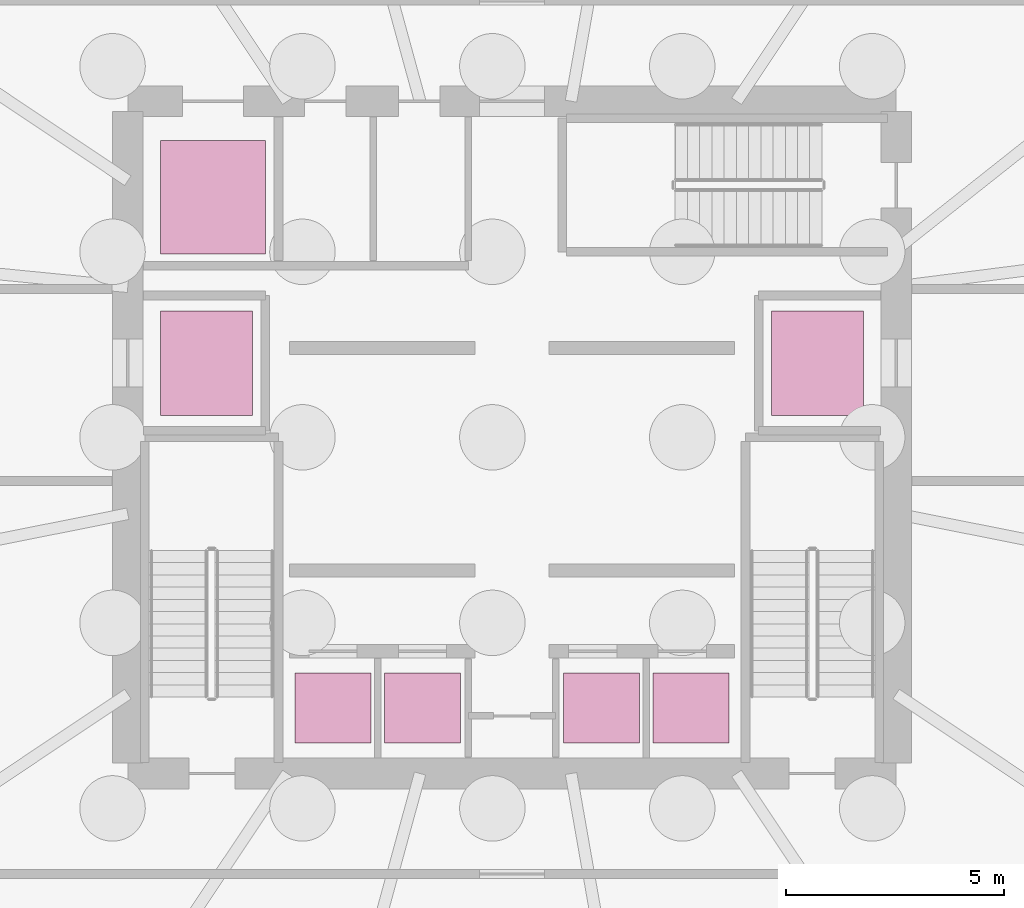
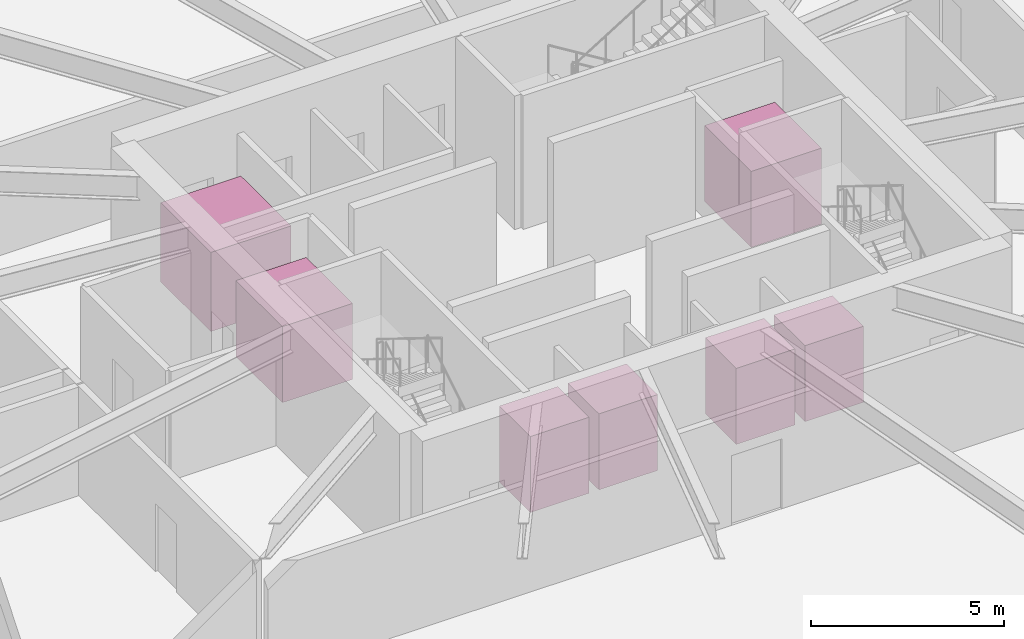
# One storey, part 10 of 10: 7 transport elements.
"""IFC4 building model written with IfcOpenShell, lengths in metres."""

from ifc_helpers import new_model, si_unit, direction, frame, origin, origin_2d, place, context, subcontext, project, spatial, rectangle, extrude, source, transform, mapped, material, type_object, element, save


model = new_model("IFC4")

# Units and contexts
model_context = context("Model", 3, precision=1e-05, world=origin(), true_north=direction((0.0, 1.0)))
body_context = subcontext(model_context, "Body", "Model", "MODEL_VIEW")
ifc_project = project(units=[si_unit("LENGTHUNIT", "METRE"), si_unit("AREAUNIT", "SQUARE_METRE"), si_unit("VOLUMEUNIT", "CUBIC_METRE"), si_unit("PLANEANGLEUNIT", "RADIAN"), si_unit("MASSUNIT", "GRAM", prefix="KILO"), si_unit("THERMODYNAMICTEMPERATUREUNIT", "KELVIN")], contexts=[model_context])

# Site, building, storey
site_placement = place(None, origin())
site = spatial("IfcSite", under=ifc_project, at=site_placement, CompositionType="ELEMENT")
building_placement = place(site_placement, origin())
building = spatial("IfcBuilding", under=site, at=building_placement, Name="Kethvar Cultural Tower", CompositionType="ELEMENT")
storey_placement = place(building_placement, frame((0.0, 0.0, -9.0)))
storey = spatial("IfcBuildingStorey", under=building, at=storey_placement, Name="B02", CompositionType="ELEMENT", Elevation=-9.0)

# Transport elements
ifc_material = material(Name="Steel S355J2", Category="steel")
transport_element_type_1 = type_object("IfcTransportElementType", Name="LIFT-PASS-1750", PredefinedType="ELEVATOR", material=ifc_material)
shared_shape_1 = source(origin(), body_context, "Body", "SweptSolid", [
    extrude(rectangle(XDim=1.75, YDim=1.60009765625, at=origin_2d()), origin(), (0.0, 0.0, 1.0), 2.39990234375),
])
for number, where, z_axis, x_axis, name in (
    (1, (42.699951171875, 21.60009765625, 0.0), (0.0, 0.0, 1.0), (1.0, 0.0, 0.0), "Passenger Lift PL-L1"),
    (2, (44.75, 21.60009765625, 0.0), (0.0, 0.0, 1.0), (1.0, 0.0, 0.0), "Passenger Lift PL-L2"),
    (3, (48.85009765625, 21.60009765625, 0.0), (0.0, 0.0, 1.0), (1.0, 0.0, 0.0), "Passenger Lift PL-L3"),
    (4, (50.89990234375, 21.60009765625, 0.0), (0.0, 0.0, 1.0), (1.0, 0.0, 0.0), "Passenger Lift PL-L4"),
):
    element("IfcTransportElement", number, at=place(storey_placement, frame(where, z_axis=z_axis, x_axis=x_axis)), inside=storey, type_object=transport_element_type_1, Name=name, PredefinedType="ELEVATOR", context=body_context, shape_type="MappedRepresentation", body=[
        mapped(shared_shape_1, transform((0.0, 0.0, 0.0), scale=1.0)),
    ])
transport_element_type_2 = type_object("IfcTransportElementType", Name="LIFT-FF-2100", PredefinedType="ELEVATOR", material=ifc_material)
shared_shape_2 = source(origin(), body_context, "Body", "SweptSolid", [
    extrude(rectangle(XDim=2.10009765625, YDim=2.39990234375, at=origin_2d()), origin(), (0.0, 0.0, 1.0), 2.39990234375),
])
for number, where, z_axis, x_axis, name in (
    (5, (39.800048828125, 29.5, 0.0), (0.0, 0.0, 1.0), (1.0, 0.0, 0.0), "Firefighting Lift FFL-01"),
    (6, (53.800048828125, 29.5, 0.0), (0.0, 0.0, 1.0), (1.0, 0.0, 0.0), "Firefighting Lift FFL-02"),
):
    element("IfcTransportElement", number, at=place(storey_placement, frame(where, z_axis=z_axis, x_axis=x_axis)), inside=storey, type_object=transport_element_type_2, Name=name, PredefinedType="ELEVATOR", context=body_context, shape_type="MappedRepresentation", body=[
        mapped(shared_shape_2, transform((0.0, 0.0, 0.0), scale=1.0)),
    ])
transport_element_type_3 = type_object("IfcTransportElementType", Name="LIFT-GOODS-2400", PredefinedType="ELEVATOR", material=ifc_material)
shared_shape_3 = source(origin(), body_context, "Body", "SweptSolid", [
    extrude(rectangle(XDim=2.39990234375, YDim=2.60009765625, at=origin_2d()), origin(), (0.0, 0.0, 1.0), 2.5),
])
transport_element_placement = place(storey_placement, frame((39.949951171875, 33.300048828125, 0.0), z_axis=(0.0, 0.0, 1.0), x_axis=(1.0, 0.0, 0.0)))
element("IfcTransportElement", 7, at=transport_element_placement, inside=storey, type_object=transport_element_type_3, Name="Goods Lift GL-01", PredefinedType="ELEVATOR", context=body_context, shape_type="MappedRepresentation", body=[
    mapped(shared_shape_3, transform((0.0, 0.0, 0.0), scale=1.0)),
])

save(model, "model.ifc")
